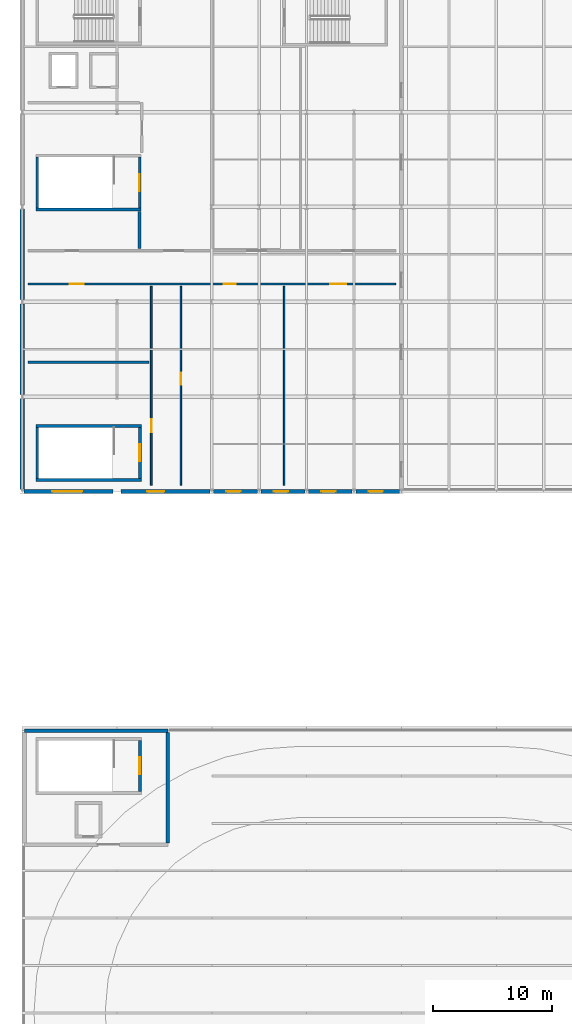
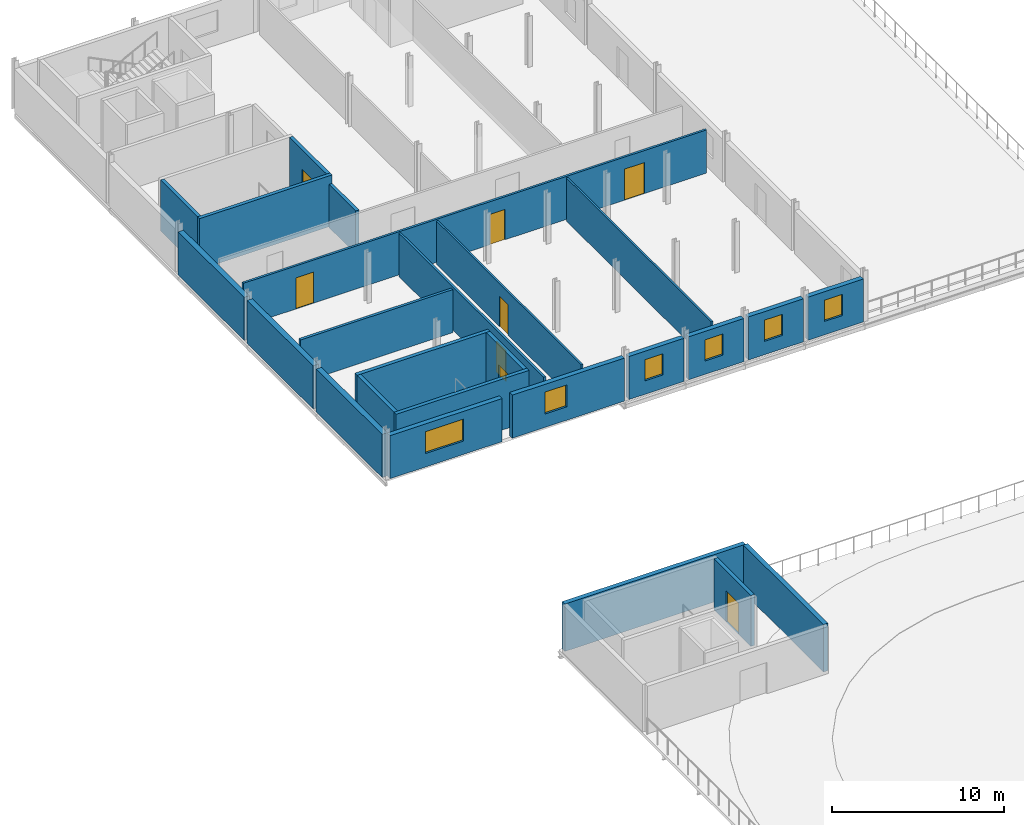
# One storey, part 6 of 11: 25 walls, 8 doors, 6 windows, 14 openings.
"""IFC4 building model written with IfcOpenShell, lengths in metres."""

import ifcopenshell
import ifcopenshell.guid

model = None  # the IFC model being written
_history = None  # IfcOwnerHistory: only IFC2X3 demands one
_inside = {}  # id of a spatial element -> (the spatial element, [elements in it])
_under = {}  # id of a project, library or spatial element -> (it, [spatial elements below it])
_declared = {}  # id of a project -> (the project, [libraries it declares])
_typed = {}  # id of a type object -> (the type object, [elements of that type])
_made_of = {}  # id of a material, layer set ... -> (it, [elements and type objects made of it])


def new_model(schema):
    """Start an empty IFC model of exactly this schema.

    Asked for "IFC4X3", IfcOpenShell would pick the latest addendum, in which some entities
    have other attributes; the version numbers below select the first issue.
    IFC2X3 requires an IfcOwnerHistory on every rooted entity: one is made here for all.
    """
    global model, _history
    if schema == "IFC4X3":
        model = ifcopenshell.file(schema_version=(4, 3, 0, 0))
    else:
        model = ifcopenshell.file(schema=schema)
    _inside.clear()
    _under.clear()
    _declared.clear()
    _typed.clear()
    _made_of.clear()
    _history = None
    if model.schema == "IFC2X3":
        org = make("IfcOrganization", Name="unknown")
        user = make(
            "IfcPersonAndOrganization",
            ThePerson=make("IfcPerson", FamilyName="unknown"),
            TheOrganization=org,
        )
        app = make(
            "IfcApplication",
            ApplicationDeveloper=org,
            Version="unknown",
            ApplicationFullName="unknown",
            ApplicationIdentifier="unknown",
        )
        _history = make(
            "IfcOwnerHistory",
            OwningUser=user,
            OwningApplication=app,
            ChangeAction="ADDED",
            CreationDate=0,
        )
    return model


def make(cls, **values):
    """One entity of the class cls with the attributes given. An attribute that is None is left unset."""
    return model.create_entity(
        cls, **{name: value for name, value in values.items() if value is not None}
    )


def rooted(cls, **values):
    """An entity with a GlobalId (a new one), such as an element, a storey or a relation."""
    return make(cls, GlobalId=ifcopenshell.guid.new(), OwnerHistory=_history, **values)


def si_unit(unit_type, name, prefix=None):
    """IfcSIUnit, for example si_unit("LENGTHUNIT", "METRE", prefix="MILLI")."""
    return make("IfcSIUnit", UnitType=unit_type, Prefix=prefix, Name=name)


def derived_unit(unit_type, elements):
    """IfcDerivedUnit: a product of units, each with its exponent."""
    return make(
        "IfcDerivedUnit",
        Elements=[
            make("IfcDerivedUnitElement", Unit=unit, Exponent=power)
            for unit, power in elements
        ],
        UnitType=unit_type,
    )


def assignment(units):
    """IfcUnitAssignment: the units of a project."""
    return None if units is None else make("IfcUnitAssignment", Units=units)


def point(xyz):
    """IfcCartesianPoint."""
    return None if xyz is None else make("IfcCartesianPoint", Coordinates=xyz)


def direction(xyz):
    """IfcDirection."""
    return None if xyz is None else make("IfcDirection", DirectionRatios=xyz)


def frame(location, z_axis=None, x_axis=None):
    """IfcAxis2Placement3D, a coordinate frame: its origin and axes. An axis left out is left unset."""
    return make(
        "IfcAxis2Placement3D",
        Location=point(location),
        Axis=direction(z_axis),
        RefDirection=direction(x_axis),
    )


def frame_2d(location, x_axis=None):
    """IfcAxis2Placement2D, a coordinate frame in the plane: its origin and x axis."""
    return make(
        "IfcAxis2Placement2D", Location=point(location), RefDirection=direction(x_axis)
    )


def origin():
    """The frame at (0, 0, 0) with its axes left unset."""
    return frame((0.0, 0.0, 0.0))


def place(relative_to, where):
    """IfcLocalPlacement: puts the frame where relative to a parent placement (None: the world)."""
    return make(
        "IfcLocalPlacement", PlacementRelTo=relative_to, RelativePlacement=where
    )


def context(
    kind, dimensions, precision=None, world=None, true_north=None, identifier=None
):
    """IfcGeometricRepresentationContext, for example the 3D "Model" context."""
    return make(
        "IfcGeometricRepresentationContext",
        ContextIdentifier=identifier,
        ContextType=kind,
        CoordinateSpaceDimension=dimensions,
        Precision=precision,
        WorldCoordinateSystem=world,
        TrueNorth=true_north,
    )


def subcontext(parent, identifier, kind, view, scale=None):
    """IfcGeometricRepresentationSubContext, for example "Body" below "Model"."""
    return make(
        "IfcGeometricRepresentationSubContext",
        ContextIdentifier=identifier,
        ContextType=kind,
        ParentContext=parent,
        TargetScale=scale,
        TargetView=view,
    )


def project(units=None, contexts=None):
    """IfcProject with its units and contexts."""
    return rooted(
        "IfcProject",
        Name="project",
        RepresentationContexts=contexts,
        UnitsInContext=assignment(units),
    )


def spatial(cls, under=None, at=None, **own):
    """A site, building, storey or space (cls), placed at a placement, below another one or the project."""
    s = rooted(cls, ObjectPlacement=at, **own)
    if under is not None:
        _under.setdefault(under.id(), (under, []))[1].append(s)
    return s


def profile(cls, at=None, kind="AREA", **sizes):
    """A parametric profile (cls). Its sizes go by their IFC names, for example OverallWidth=200.0."""
    return make(cls, ProfileType=kind, Position=at, **sizes)


def rectangle(**sizes):
    """IfcRectangleProfileDef."""
    return profile("IfcRectangleProfileDef", **sizes)


def extrude(swept, where, along, depth):
    """IfcExtrudedAreaSolid: the profile swept, set in the frame where, extruded along a direction by depth."""
    return make(
        "IfcExtrudedAreaSolid",
        SweptArea=swept,
        Position=where,
        ExtrudedDirection=direction(along),
        Depth=depth,
    )


def shape(context_of_items, identifier, shape_type, items):
    """IfcShapeRepresentation: the items that make up one representation, for example the "Body"."""
    return make(
        "IfcShapeRepresentation",
        ContextOfItems=context_of_items,
        RepresentationIdentifier=identifier,
        RepresentationType=shape_type,
        Items=items,
    )


def material(Name=None, Category=None):
    """IfcMaterial."""
    return make("IfcMaterial", Name=Name, Category=Category)


def layer(
    of_material, thickness, ventilated=None, Name=None, Category=None, Priority=None
):
    """IfcMaterialLayer: one layer of a wall or slab, of a material (None: an air gap)."""
    return make(
        "IfcMaterialLayer",
        Material=of_material,
        LayerThickness=thickness,
        IsVentilated=ventilated,
        Name=Name,
        Category=Category,
        Priority=Priority,
    )


def layer_set(layers, Name=None):
    """IfcMaterialLayerSet."""
    return make("IfcMaterialLayerSet", MaterialLayers=layers, LayerSetName=Name)


def made_of(thing, what):
    """Note that an element or type object is made of a material, layer set ...; save() writes the relation."""
    if what is not None:
        _made_of.setdefault(what.id(), (what, []))[1].append(thing)
    return thing


def type_object(cls, material=None, **own):
    """A type object (cls), such as IfcWallType, which elements share."""
    return made_of(rooted(cls, **own), material)


def element(
    cls,
    number,
    at=None,
    inside=None,
    cuts=None,
    type_object=None,
    material=None,
    context=None,
    identifier="Body",
    shape_type=None,
    held_by="IfcProductDefinitionShape",
    body=None,
    shapes=None,
    **own,
):
    """One element of the class cls, such as IfcWall. Its Tag is "e" and its number.

    at: its placement. inside: the storey or other place that contains it. cuts: it is an
    opening in that element (IfcRelVoidsElement). A single representation is given by context,
    identifier, shape_type and body (its items); several are given by shapes. held_by: the class
    of the entity that holds the representations. save() writes the other relations.
    """
    e = rooted(cls, Tag="e%d" % number, ObjectPlacement=at, **own)
    if body is not None:
        shapes = [shape(context, identifier, shape_type, body)]
    if shapes is not None:
        e.Representation = make(held_by, Representations=shapes)
    if inside is not None:
        _inside.setdefault(inside.id(), (inside, []))[1].append(e)
    if cuts is not None:
        rooted(
            "IfcRelVoidsElement", RelatingBuildingElement=cuts, RelatedOpeningElement=e
        )
    if type_object is not None:
        _typed.setdefault(type_object.id(), (type_object, []))[1].append(e)
    return made_of(e, material)


def fill(opening, filler):
    """IfcRelFillsElement: the door or window that sits in an opening."""
    return rooted(
        "IfcRelFillsElement",
        RelatingOpeningElement=opening,
        RelatedBuildingElement=filler,
    )


def aggregate(whole, parts):
    """IfcRelAggregates: a whole, such as a stair, and the parts it consists of."""
    return rooted("IfcRelAggregates", RelatingObject=whole, RelatedObjects=parts)


def save(model, path):
    """Write the relations noted so far, then the file.

    IfcRelAggregates (storeys below a building ...), IfcRelContainedInSpatialStructure (elements
    in a storey), IfcRelDefinesByType, IfcRelAssociatesMaterial and IfcRelDeclares: one each for
    every whole, place, type object, material and project.
    """
    for whole, parts in _under.values():
        aggregate(whole, parts)
    for where, things in _inside.values():
        rooted(
            "IfcRelContainedInSpatialStructure",
            RelatedElements=things,
            RelatingStructure=where,
        )
    for kind, things in _typed.values():
        rooted("IfcRelDefinesByType", RelatedObjects=things, RelatingType=kind)
    for what, things in _made_of.values():
        rooted("IfcRelAssociatesMaterial", RelatedObjects=things, RelatingMaterial=what)
    for by, libraries in _declared.values():
        rooted("IfcRelDeclares", RelatingContext=by, RelatedDefinitions=libraries)
    model.write(path)


model = new_model("IFC4")

# Units and contexts
model_context = context("Model", 3, precision=1e-05, world=origin(), true_north=direction((0.0, 1.0)))
body_context = subcontext(model_context, "Body", "Model", "MODEL_VIEW")
ifc_project = project(units=[si_unit("LENGTHUNIT", "METRE"), si_unit("AREAUNIT", "SQUARE_METRE"), si_unit("VOLUMEUNIT", "CUBIC_METRE"), si_unit("PLANEANGLEUNIT", "RADIAN"), si_unit("MASSUNIT", "GRAM", prefix="KILO"), derived_unit("THERMALTRANSMITTANCEUNIT", [(si_unit("POWERUNIT", "WATT"), 1), (si_unit("LENGTHUNIT", "METRE"), -2), (si_unit("THERMODYNAMICTEMPERATUREUNIT", "KELVIN"), -1)])], contexts=[model_context])

# Site, building, storey
site_placement = place(None, origin())
site = spatial("IfcSite", under=ifc_project, at=site_placement, CompositionType="ELEMENT")
building_placement = place(site_placement, origin())
building = spatial("IfcBuilding", under=site, at=building_placement, Name="Keldorne Ridge Multi-Sports Centre", CompositionType="ELEMENT")
storey_placement = place(building_placement, frame((0.0, 0.0, 18.60009765625)))
storey = spatial("IfcBuildingStorey", under=building, at=storey_placement, Name="L04", CompositionType="ELEMENT", Elevation=18.60009765625)

# Wall
ifc_material_1 = material(Name="Moisture-resistant stud plumbing wall")
ifc_layer_1 = layer(ifc_material_1, 0.219970703125)
ifc_layer_set_1 = layer_set([ifc_layer_1])
wall_type_1 = type_object("IfcWallType", Name="WAL-PL-01", PredefinedType="PLUMBINGWALL", material=ifc_layer_set_1)
wall_1_placement = place(storey_placement, frame((113.89990234375, 94.5, 0.0), z_axis=(0.0, 0.0, 1.0), x_axis=(0.0, 1.0, 0.0)))
element("IfcWall", 1, at=wall_1_placement, inside=storey, type_object=wall_type_1, Name="Fourth floor Accessible WC east wall IW-L04-078", PredefinedType="PLUMBINGWALL", context=body_context, shape_type="SweptSolid", body=[
    extrude(rectangle(XDim=3.10009765625, YDim=0.219970703125, at=frame_2d((1.550048828125, 0.0))), origin(), (0.0, 0.0, 1.0), 3.0498046875),
])

# Wall, opening, window
ifc_material_2 = material(Name="Precast concrete C40/50", Category="concrete")
ifc_layer_2 = layer(ifc_material_2, 0.320068359375)
ifc_layer_set_2 = layer_set([ifc_layer_2], Name="Precast concrete C40/50")
wall_type_2 = type_object("IfcWallType", Name="WAL-PR-W1", PredefinedType="STANDARD", material=ifc_layer_set_2)
wall_2_placement = place(storey_placement, frame((104.152099609375, 74.0, 0.0), z_axis=(0.0, 0.0, 1.0), x_axis=(1.0, 0.0, 0.0)))
wall_2 = element("IfcWall", 2, at=wall_2_placement, inside=storey, type_object=wall_type_2, Name="East Wing L04 south facade 1", PredefinedType="STANDARD", context=body_context, shape_type="SweptSolid", body=[
    extrude(rectangle(XDim=7.5078125, YDim=0.320068359375, at=frame_2d((3.75390625, 0.0))), origin(), (0.0, 0.0, 1.0), 3.0498046875),
])
opening_1_placement = place(wall_2_placement, frame((2.387939453125, 0.0, 0.949951171875)))
opening_1 = element("IfcOpeningElement", 3, at=opening_1_placement, cuts=wall_2, Name="Opening W-15", PredefinedType="OPENING", context=body_context, shape_type="SweptSolid", body=[
    extrude(rectangle(XDim=2.550048828125, YDim=1.550048828125, at=frame_2d((1.27490234375, 0.77490234375))), frame((0.0, 0.169921875, 0.0), z_axis=(0.0, -1.0, 0.0), x_axis=(1.0, 0.0, 0.0)), (0.0, 0.0, 1.0), 0.340087890625),
])
ifc_material_3 = material(Name="Anodized aluminium", Category="aluminium")
window_type_1 = type_object("IfcWindowType", Name="WIN-W-15", PartitioningType="DOUBLE_PANEL_VERTICAL", PredefinedType="WINDOW", material=ifc_material_3)
window_1_placement = place(opening_1_placement, origin())
window_1 = element("IfcWindow", 4, at=window_1_placement, inside=storey, type_object=window_type_1, Name="East Wing L04 south window W-107", OverallHeight=1.550048828125, OverallWidth=2.550048828125, PartitioningType="SINGLE_PANEL", PredefinedType="WINDOW", context=body_context, shape_type="SweptSolid", body=[
    extrude(rectangle(XDim=2.550048828125, YDim=1.550048828125, at=frame_2d((1.27490234375, 0.77490234375))), frame((0.0, 0.030029296875, 0.0), z_axis=(0.0, -1.0, 0.0), x_axis=(1.0, 0.0, 0.0)), (0.0, 0.0, 1.0), 0.06005859375),
])
fill(opening_1, window_1)

wall_3_placement = place(storey_placement, frame((112.340087890625, 74.0, 0.0), z_axis=(0.0, 0.0, 1.0), x_axis=(1.0, 0.0, 0.0)))
wall_3 = element("IfcWall", 5, at=wall_3_placement, inside=storey, type_object=wall_type_2, Name="East Wing L04 south facade 2", PredefinedType="STANDARD", context=body_context, shape_type="SweptSolid", body=[
    extrude(rectangle(XDim=7.5078125, YDim=0.320068359375, at=frame_2d((3.75390625, 0.0))), origin(), (0.0, 0.0, 1.0), 3.0498046875),
])
opening_2_placement = place(wall_3_placement, frame((2.199951171875, 0.0, 0.949951171875)))
opening_2 = element("IfcOpeningElement", 6, at=opening_2_placement, cuts=wall_3, Name="Opening W-16", PredefinedType="OPENING", context=body_context, shape_type="SweptSolid", body=[
    extrude(rectangle(XDim=1.449951171875, YDim=1.550048828125, at=frame_2d((0.72509765625, 0.77490234375))), frame((0.0, 0.169921875, 0.0), z_axis=(0.0, -1.0, 0.0), x_axis=(1.0, 0.0, 0.0)), (0.0, 0.0, 1.0), 0.340087890625),
])
window_type_2 = type_object("IfcWindowType", Name="WIN-W-16", PartitioningType="SINGLE_PANEL", PredefinedType="WINDOW", material=ifc_material_3)
window_2_placement = place(opening_2_placement, origin())
window_2 = element("IfcWindow", 7, at=window_2_placement, inside=storey, type_object=window_type_2, Name="East Wing L04 south window W-108", OverallHeight=1.550048828125, OverallWidth=1.449951171875, PartitioningType="SINGLE_PANEL", PredefinedType="WINDOW", context=body_context, shape_type="SweptSolid", body=[
    extrude(rectangle(XDim=1.449951171875, YDim=1.550048828125, at=frame_2d((0.72509765625, 0.77490234375))), frame((0.0, 0.030029296875, 0.0), z_axis=(0.0, -1.0, 0.0), x_axis=(1.0, 0.0, 0.0)), (0.0, 0.0, 1.0), 0.06005859375),
])
fill(opening_2, window_2)

wall_4_placement = place(storey_placement, frame((120.152099609375, 74.0, 0.0), z_axis=(0.0, 0.0, 1.0), x_axis=(1.0, 0.0, 0.0)))
wall_4 = element("IfcWall", 8, at=wall_4_placement, inside=storey, type_object=wall_type_2, Name="East Wing L04 south facade 3", PredefinedType="STANDARD", context=body_context, shape_type="SweptSolid", body=[
    extrude(rectangle(XDim=3.69580078125, YDim=0.320068359375, at=frame_2d((1.847900390625, 0.0))), origin(), (0.0, 0.0, 1.0), 3.0498046875),
])
opening_3_placement = place(wall_4_placement, frame((1.087890625, 0.0, 0.949951171875)))
opening_3 = element("IfcOpeningElement", 9, at=opening_3_placement, cuts=wall_4, Name="Opening W-03", PredefinedType="OPENING", context=body_context, shape_type="SweptSolid", body=[
    extrude(rectangle(XDim=1.199951171875, YDim=1.5, at=frame_2d((0.60009765625, 0.75))), frame((0.0, 0.169921875, 0.0), z_axis=(0.0, -1.0, 0.0), x_axis=(1.0, 0.0, 0.0)), (0.0, 0.0, 1.0), 0.340087890625),
])
window_type_3 = type_object("IfcWindowType", Name="WIN-W-03", PartitioningType="SINGLE_PANEL", PredefinedType="WINDOW", material=ifc_material_3)
window_3_placement = place(opening_3_placement, origin())
window_3 = element("IfcWindow", 10, at=window_3_placement, inside=storey, type_object=window_type_3, Name="East Wing L04 south window W-109", OverallHeight=1.5, OverallWidth=1.199951171875, PartitioningType="SINGLE_PANEL", PredefinedType="WINDOW", context=body_context, shape_type="SweptSolid", body=[
    extrude(rectangle(XDim=1.199951171875, YDim=1.5, at=frame_2d((0.60009765625, 0.75))), frame((0.0, 0.030029296875, 0.0), z_axis=(0.0, -1.0, 0.0), x_axis=(1.0, 0.0, 0.0)), (0.0, 0.0, 1.0), 0.06005859375),
])
fill(opening_3, window_3)

wall_5_placement = place(storey_placement, frame((124.152099609375, 74.0, 0.0), z_axis=(0.0, 0.0, 1.0), x_axis=(1.0, 0.0, 0.0)))
wall_5 = element("IfcWall", 11, at=wall_5_placement, inside=storey, type_object=wall_type_2, Name="East Wing L04 south facade 4", PredefinedType="STANDARD", context=body_context, shape_type="SweptSolid", body=[
    extrude(rectangle(XDim=3.69580078125, YDim=0.320068359375, at=frame_2d((1.847900390625, 0.0))), origin(), (0.0, 0.0, 1.0), 3.0498046875),
])
opening_4_placement = place(wall_5_placement, frame((1.087890625, 0.0, 0.949951171875)))
opening_4 = element("IfcOpeningElement", 12, at=opening_4_placement, cuts=wall_5, Name="Opening W-03", PredefinedType="OPENING", context=body_context, shape_type="SweptSolid", body=[
    extrude(rectangle(XDim=1.199951171875, YDim=1.5, at=frame_2d((0.60009765625, 0.75))), frame((0.0, 0.169921875, 0.0), z_axis=(0.0, -1.0, 0.0), x_axis=(1.0, 0.0, 0.0)), (0.0, 0.0, 1.0), 0.340087890625),
])
window_4_placement = place(opening_4_placement, origin())
window_4 = element("IfcWindow", 13, at=window_4_placement, inside=storey, type_object=window_type_3, Name="East Wing L04 south window W-110", OverallHeight=1.5, OverallWidth=1.199951171875, PartitioningType="SINGLE_PANEL", PredefinedType="WINDOW", context=body_context, shape_type="SweptSolid", body=[
    extrude(rectangle(XDim=1.199951171875, YDim=1.5, at=frame_2d((0.60009765625, 0.75))), frame((0.0, 0.030029296875, 0.0), z_axis=(0.0, -1.0, 0.0), x_axis=(1.0, 0.0, 0.0)), (0.0, 0.0, 1.0), 0.06005859375),
])
fill(opening_4, window_4)

wall_6_placement = place(storey_placement, frame((128.152099609375, 74.0, 0.0), z_axis=(0.0, 0.0, 1.0), x_axis=(1.0, 0.0, 0.0)))
wall_6 = element("IfcWall", 14, at=wall_6_placement, inside=storey, type_object=wall_type_2, Name="East Wing L04 south facade 5", PredefinedType="STANDARD", context=body_context, shape_type="SweptSolid", body=[
    extrude(rectangle(XDim=3.69580078125, YDim=0.320068359375, at=frame_2d((1.847900390625, 0.0))), origin(), (0.0, 0.0, 1.0), 3.0498046875),
])
opening_5_placement = place(wall_6_placement, frame((1.087890625, 0.0, 0.949951171875)))
opening_5 = element("IfcOpeningElement", 15, at=opening_5_placement, cuts=wall_6, Name="Opening W-03", PredefinedType="OPENING", context=body_context, shape_type="SweptSolid", body=[
    extrude(rectangle(XDim=1.199951171875, YDim=1.5, at=frame_2d((0.60009765625, 0.75))), frame((0.0, 0.169921875, 0.0), z_axis=(0.0, -1.0, 0.0), x_axis=(1.0, 0.0, 0.0)), (0.0, 0.0, 1.0), 0.340087890625),
])
window_5_placement = place(opening_5_placement, origin())
window_5 = element("IfcWindow", 16, at=window_5_placement, inside=storey, type_object=window_type_3, Name="East Wing L04 south window W-111", OverallHeight=1.5, OverallWidth=1.199951171875, PartitioningType="SINGLE_PANEL", PredefinedType="WINDOW", context=body_context, shape_type="SweptSolid", body=[
    extrude(rectangle(XDim=1.199951171875, YDim=1.5, at=frame_2d((0.60009765625, 0.75))), frame((0.0, 0.030029296875, 0.0), z_axis=(0.0, -1.0, 0.0), x_axis=(1.0, 0.0, 0.0)), (0.0, 0.0, 1.0), 0.06005859375),
])
fill(opening_5, window_5)

wall_7_placement = place(storey_placement, frame((132.152099609375, 74.0, 0.0), z_axis=(0.0, 0.0, 1.0), x_axis=(1.0, 0.0, 0.0)))
wall_7 = element("IfcWall", 17, at=wall_7_placement, inside=storey, type_object=wall_type_2, Name="East Wing L04 south facade 6", PredefinedType="STANDARD", context=body_context, shape_type="SweptSolid", body=[
    extrude(rectangle(XDim=3.69580078125, YDim=0.320068359375, at=frame_2d((1.847900390625, 0.0))), origin(), (0.0, 0.0, 1.0), 3.0498046875),
])
opening_6_placement = place(wall_7_placement, frame((1.087890625, 0.0, 0.949951171875)))
opening_6 = element("IfcOpeningElement", 18, at=opening_6_placement, cuts=wall_7, Name="Opening W-03", PredefinedType="OPENING", context=body_context, shape_type="SweptSolid", body=[
    extrude(rectangle(XDim=1.199951171875, YDim=1.5, at=frame_2d((0.60009765625, 0.75))), frame((0.0, 0.169921875, 0.0), z_axis=(0.0, -1.0, 0.0), x_axis=(1.0, 0.0, 0.0)), (0.0, 0.0, 1.0), 0.340087890625),
])
window_6_placement = place(opening_6_placement, origin())
window_6 = element("IfcWindow", 19, at=window_6_placement, inside=storey, type_object=window_type_3, Name="East Wing L04 south window W-112", OverallHeight=1.5, OverallWidth=1.199951171875, PartitioningType="SINGLE_PANEL", PredefinedType="WINDOW", context=body_context, shape_type="SweptSolid", body=[
    extrude(rectangle(XDim=1.199951171875, YDim=1.5, at=frame_2d((0.60009765625, 0.75))), frame((0.0, 0.030029296875, 0.0), z_axis=(0.0, -1.0, 0.0), x_axis=(1.0, 0.0, 0.0)), (0.0, 0.0, 1.0), 0.06005859375),
])
fill(opening_6, window_6)

# Walls
ifc_layer_3 = layer(ifc_material_2, 0.360107421875)
ifc_layer_set_3 = layer_set([ifc_layer_3], Name="Precast concrete C40/50")
wall_type_3 = type_object("IfcWallType", Name="WAL-PR-W2", PredefinedType="STANDARD", material=ifc_layer_set_3)
for number, where, z_axis, x_axis, name in (
    (20, (104.0, 81.822998046875, 0.0), (0.0, 0.0, 1.0), (0.0, -1.0, 0.0), "East Wing movement-joint wall L04.1"),
    (21, (104.0, 89.822998046875, 0.0), (0.0, 0.0, 1.0), (0.0, -1.0, 0.0), "East Wing movement-joint wall L04.2"),
    (22, (104.0, 97.822998046875, 0.0), (0.0, 0.0, 1.0), (0.0, -1.0, 0.0), "East Wing movement-joint wall L04.3"),
):
    element("IfcWall", number, at=place(storey_placement, frame(where, z_axis=z_axis, x_axis=x_axis)), inside=storey, type_object=wall_type_3, Name=name, PredefinedType="STANDARD", context=body_context, shape_type="SweptSolid", body=[
        extrude(rectangle(XDim=7.64599609375, YDim=0.360107421875, at=frame_2d((3.822998046875, 0.0))), origin(), (0.0, 0.0, 1.0), 3.0498046875),
    ])
ifc_layer_4 = layer(ifc_material_2, 0.300048828125)
ifc_layer_set_4 = layer_set([ifc_layer_4], Name="Precast concrete C40/50")
wall_type_4 = type_object("IfcWallType", Name="WAL-PR-W4", PredefinedType="STANDARD", material=ifc_layer_set_4)
wall_8_placement = place(storey_placement, frame((116.300048828125, 53.800048828125, 0.0), z_axis=(0.0, 0.0, 1.0), x_axis=(-1.0, 0.0, 0.0)))
element("IfcWall", 23, at=wall_8_placement, inside=storey, type_object=wall_type_4, Name="Track headhouse C4 north wall", PredefinedType="STANDARD", context=body_context, shape_type="SweptSolid", body=[
    extrude(rectangle(XDim=12.10009765625, YDim=0.300048828125, at=frame_2d((6.050048828125, 0.0))), origin(), (0.0, 0.0, 1.0), 3.35986328125),
])
wall_9_placement = place(storey_placement, frame((116.300048828125, 44.35205078125, 0.0), z_axis=(0.0, 0.0, 1.0), x_axis=(0.0, 1.0, 0.0)))
element("IfcWall", 24, at=wall_9_placement, inside=storey, type_object=wall_type_4, Name="Track headhouse C4 east wall", PredefinedType="STANDARD", context=body_context, shape_type="SweptSolid", body=[
    extrude(rectangle(XDim=9.2958984375, YDim=0.300048828125, at=frame_2d((4.64794921875, 0.0))), origin(), (0.0, 0.0, 1.0), 3.35986328125),
])

# Wall, opening, door
ifc_material_4 = material(Name="Acoustic metal stud plasterboard")
ifc_layer_5 = layer(ifc_material_4, 0.125)
ifc_layer_set_5 = layer_set([ifc_layer_5])
wall_type_5 = type_object("IfcWallType", Name="WAL-PT-01", PredefinedType="PARTITIONING", material=ifc_layer_set_5)
wall_10_placement = place(storey_placement, frame((117.39990234375, 74.5, 0.0), z_axis=(0.0, 0.0, 1.0), x_axis=(0.0, 1.0, 0.0)))
wall_10 = element("IfcWall", 25, at=wall_10_placement, inside=storey, type_object=wall_type_5, Name="Fourth floor south sub-corridor east wall IW-L04-076", PredefinedType="PARTITIONING", context=body_context, shape_type="SweptSolid", body=[
    extrude(rectangle(XDim=16.800048828125, YDim=0.125, at=frame_2d((8.39990234375, 0.0))), origin(), (0.0, 0.0, 1.0), 3.0498046875),
])
opening_7_placement = place(wall_10_placement, frame((8.5, 0.0, 0.0)))
opening_7 = element("IfcOpeningElement", 26, at=opening_7_placement, cuts=wall_10, Name="Opening D-02", PredefinedType="OPENING", context=body_context, shape_type="SweptSolid", body=[
    extrude(rectangle(XDim=1.0, YDim=2.14990234375, at=frame_2d((0.5, 1.074951171875))), frame((0.0, 0.072509765625, 0.0), z_axis=(0.0, -1.0, 0.0), x_axis=(1.0, 0.0, 0.0)), (0.0, 0.0, 1.0), 0.14501953125),
])
ifc_material_5 = material(Name="Timber acoustic leaf", Category="wood")
door_type_1 = type_object("IfcDoorType", Name="DR-D-02", OperationType="NOTDEFINED", PredefinedType="DOOR", material=ifc_material_5)
door_1_placement = place(opening_7_placement, origin())
door_1 = element("IfcDoor", 27, at=door_1_placement, inside=storey, type_object=door_type_1, Name="Yoga Studio west lobby door D-137", OperationType="SINGLE_SWING_LEFT", OverallHeight=2.14990234375, OverallWidth=1.0, PredefinedType="DOOR", context=body_context, shape_type="SweptSolid", body=[
    extrude(rectangle(XDim=1.0, YDim=2.14990234375, at=frame_2d((0.5, 1.074951171875))), frame((0.0, 0.02490234375, 0.0), z_axis=(0.0, -1.0, 0.0), x_axis=(1.0, 0.0, 0.0)), (0.0, 0.0, 1.0), 0.050048828125),
])
fill(opening_7, door_1)

# Wall
wall_11_placement = place(storey_placement, frame((126.10009765625, 74.5, 0.0), z_axis=(0.0, 0.0, 1.0), x_axis=(0.0, 1.0, 0.0)))
element("IfcWall", 28, at=wall_11_placement, inside=storey, type_object=wall_type_5, Name="Fourth floor room divider IW-L04-083", PredefinedType="PARTITIONING", context=body_context, shape_type="SweptSolid", body=[
    extrude(rectangle(XDim=16.800048828125, YDim=0.125, at=frame_2d((8.39990234375, 0.0))), origin(), (0.0, 0.0, 1.0), 3.0498046875),
])

# Wall, openings, doors
ifc_material_6 = material(Name="Fire-rated twin stud plasterboard")
ifc_layer_6 = layer(ifc_material_6, 0.14990234375)
ifc_layer_set_6 = layer_set([ifc_layer_6])
wall_type_6 = type_object("IfcWallType", Name="WAL-PT-02", PredefinedType="PARTITIONING", material=ifc_layer_set_6)
wall_12_placement = place(storey_placement, frame((104.5, 91.5, 0.0), z_axis=(0.0, 0.0, 1.0), x_axis=(1.0, 0.0, 0.0)))
wall_12 = element("IfcWall", 29, at=wall_12_placement, inside=storey, type_object=wall_type_6, Name="Fourth floor corridor south wall IW-L04-073", PredefinedType="PARTITIONING", context=body_context, shape_type="SweptSolid", body=[
    extrude(rectangle(XDim=31.0, YDim=0.14990234375, at=frame_2d((15.5, 0.0))), origin(), (0.0, 0.0, 1.0), 3.0498046875),
])
opening_8_placement = place(wall_12_placement, frame((3.5, 0.0, 0.0)))
opening_8 = element("IfcOpeningElement", 30, at=opening_8_placement, cuts=wall_12, Name="Opening D-07", PredefinedType="OPENING", context=body_context, shape_type="SweptSolid", body=[
    extrude(rectangle(XDim=1.199951171875, YDim=2.199951171875, at=frame_2d((0.60009765625, 1.10009765625))), frame((0.0, 0.0849609375, 0.0), z_axis=(0.0, -1.0, 0.0), x_axis=(1.0, 0.0, 0.0)), (0.0, 0.0, 1.0), 0.169921875),
])
opening_9_placement = place(wall_12_placement, frame((16.5, 0.0, 0.0)))
opening_9 = element("IfcOpeningElement", 31, at=opening_9_placement, cuts=wall_12, Name="Opening D-02", PredefinedType="OPENING", context=body_context, shape_type="SweptSolid", body=[
    extrude(rectangle(XDim=1.0, YDim=2.14990234375, at=frame_2d((0.5, 1.074951171875))), frame((0.0, 0.0849609375, 0.0), z_axis=(0.0, -1.0, 0.0), x_axis=(1.0, 0.0, 0.0)), (0.0, 0.0, 1.0), 0.169921875),
])
opening_10_placement = place(wall_12_placement, frame((25.5, 0.0, 0.0)))
opening_10 = element("IfcOpeningElement", 32, at=opening_10_placement, cuts=wall_12, Name="Opening D-09", PredefinedType="OPENING", context=body_context, shape_type="SweptSolid", body=[
    extrude(rectangle(XDim=1.35009765625, YDim=2.199951171875, at=frame_2d((0.675048828125, 1.10009765625))), frame((0.0, 0.0849609375, 0.0), z_axis=(0.0, -1.0, 0.0), x_axis=(1.0, 0.0, 0.0)), (0.0, 0.0, 1.0), 0.169921875),
])
door_2_placement = place(opening_9_placement, origin())
door_2 = element("IfcDoor", 33, at=door_2_placement, inside=storey, type_object=door_type_1, Name="Mind-Body Yoga Studio door D-134", OperationType="SINGLE_SWING_LEFT", OverallHeight=2.14990234375, OverallWidth=1.0, PredefinedType="DOOR", context=body_context, shape_type="SweptSolid", body=[
    extrude(rectangle(XDim=1.0, YDim=2.14990234375, at=frame_2d((0.5, 1.074951171875))), frame((0.0, 0.02490234375, 0.0), z_axis=(0.0, -1.0, 0.0), x_axis=(1.0, 0.0, 0.0)), (0.0, 0.0, 1.0), 0.050048828125),
])
fill(opening_9, door_2)
ifc_material_7 = material(Name="Galvanized steel", Category="steel")
door_type_2 = type_object("IfcDoorType", Name="DR-D-07", OperationType="NOTDEFINED", PredefinedType="DOOR", material=ifc_material_7)
door_3_placement = place(opening_8_placement, origin())
door_3 = element("IfcDoor", 34, at=door_3_placement, inside=storey, type_object=door_type_2, Name="Upper Ventilation Plant door D-133", OperationType="SINGLE_SWING_RIGHT", OverallHeight=2.199951171875, OverallWidth=1.199951171875, PredefinedType="DOOR", context=body_context, shape_type="SweptSolid", body=[
    extrude(rectangle(XDim=1.199951171875, YDim=2.199951171875, at=frame_2d((0.60009765625, 1.10009765625))), frame((0.0, 0.02490234375, 0.0), z_axis=(0.0, -1.0, 0.0), x_axis=(1.0, 0.0, 0.0)), (0.0, 0.0, 1.0), 0.050048828125),
])
fill(opening_8, door_3)
ifc_material_8 = material(Name="Timber acoustic pair", Category="wood")
door_type_3 = type_object("IfcDoorType", Name="DR-D-09", OperationType="NOTDEFINED", PredefinedType="DOOR", material=ifc_material_8)
door_4_placement = place(opening_10_placement, origin())
door_4 = element("IfcDoor", 35, at=door_4_placement, inside=storey, type_object=door_type_3, Name="Members Club Lounge double door D-135", OperationType="DOUBLE_DOOR_SINGLE_SWING", OverallHeight=2.199951171875, OverallWidth=1.35009765625, PredefinedType="DOOR", context=body_context, shape_type="SweptSolid", body=[
    extrude(rectangle(XDim=1.35009765625, YDim=2.199951171875, at=frame_2d((0.675048828125, 1.10009765625))), frame((0.0, 0.02490234375, 0.0), z_axis=(0.0, -1.0, 0.0), x_axis=(1.0, 0.0, 0.0)), (0.0, 0.0, 1.0), 0.050048828125),
])
fill(opening_10, door_4)

# Wall, opening, door
wall_13_placement = place(storey_placement, frame((114.89990234375, 74.5, 0.0), z_axis=(0.0, 0.0, 1.0), x_axis=(0.0, 1.0, 0.0)))
wall_13 = element("IfcWall", 36, at=wall_13_placement, inside=storey, type_object=wall_type_6, Name="First Aid and Plant east wall IW-L04-074", PredefinedType="PARTITIONING", context=body_context, shape_type="SweptSolid", body=[
    extrude(rectangle(XDim=16.800048828125, YDim=0.14990234375, at=frame_2d((8.39990234375, 0.0))), origin(), (0.0, 0.0, 1.0), 3.0498046875),
])
opening_11_placement = place(wall_13_placement, frame((4.5, 0.0, 0.0)))
opening_11 = element("IfcOpeningElement", 37, at=opening_11_placement, cuts=wall_13, Name="Opening D-03", PredefinedType="OPENING", context=body_context, shape_type="SweptSolid", body=[
    extrude(rectangle(XDim=1.10009765625, YDim=2.199951171875, at=frame_2d((0.550048828125, 1.10009765625))), frame((0.0, 0.0849609375, 0.0), z_axis=(0.0, -1.0, 0.0), x_axis=(1.0, 0.0, 0.0)), (0.0, 0.0, 1.0), 0.169921875),
])
ifc_material_9 = material(Name="Timber fire-resisting leaf", Category="wood")
door_type_4 = type_object("IfcDoorType", Name="DR-D-03", OperationType="NOTDEFINED", PredefinedType="DOOR", material=ifc_material_9)
door_5_placement = place(opening_11_placement, origin())
door_5 = element("IfcDoor", 38, at=door_5_placement, inside=storey, type_object=door_type_4, Name="Trackside First Aid Room door D-136", OperationType="SINGLE_SWING_RIGHT", OverallHeight=2.199951171875, OverallWidth=1.10009765625, PredefinedType="DOOR", context=body_context, shape_type="SweptSolid", body=[
    extrude(rectangle(XDim=1.10009765625, YDim=2.199951171875, at=frame_2d((0.550048828125, 1.10009765625))), frame((0.0, 0.02490234375, 0.0), z_axis=(0.0, -1.0, 0.0), x_axis=(1.0, 0.0, 0.0)), (0.0, 0.0, 1.0), 0.050048828125),
])
fill(opening_11, door_5)

# Wall
ifc_material_10 = material(Name="Concrete blockwork C25/30", Category="masonry")
ifc_layer_7 = layer(ifc_material_10, 0.179931640625)
ifc_layer_set_7 = layer_set([ifc_layer_7])
wall_type_7 = type_object("IfcWallType", Name="WAL-PT-05", PredefinedType="PARTITIONING", material=ifc_layer_set_7)
wall_14_placement = place(storey_placement, frame((104.5, 84.89990234375, 0.0), z_axis=(0.0, 0.0, 1.0), x_axis=(1.0, 0.0, 0.0)))
element("IfcWall", 39, at=wall_14_placement, inside=storey, type_object=wall_type_7, Name="Upper Plant south fire wall IW-L04-075", PredefinedType="PARTITIONING", context=body_context, shape_type="SweptSolid", body=[
    extrude(rectangle(XDim=10.199951171875, YDim=0.179931640625, at=frame_2d((5.10009765625, 0.0))), origin(), (0.0, 0.0, 1.0), 3.0498046875),
])

# Wall, opening, door
ifc_material_11 = material(Name="Concrete C40/50", Category="concrete")
ifc_layer_8 = layer(ifc_material_11, 0.25)
ifc_layer_set_8 = layer_set([ifc_layer_8], Name="Concrete C40/50")
wall_type_8 = type_object("IfcWallType", Name="WAL-SW01", PredefinedType="SHEAR", material=ifc_layer_set_8)
wall_15_placement = place(storey_placement, frame((113.925048828125, 75.10009765625, 0.0), z_axis=(0.0, 0.0, 1.0), x_axis=(0.0, 1.0, 0.0)))
wall_15 = element("IfcWall", 40, at=wall_15_placement, inside=storey, type_object=wall_type_8, Name="Stair ST-02 shaft wall L04 NEAR", PredefinedType="SHEAR", context=body_context, shape_type="SweptSolid", body=[
    extrude(rectangle(XDim=4.2998046875, YDim=0.25, at=frame_2d((2.14990234375, 0.0))), origin(), (0.0, 0.0, 1.0), 3.599853515625),
])
opening_12_placement = place(wall_15_placement, frame((1.425048828125, 0.0, 0.0)))
opening_12 = element("IfcOpeningElement", 41, at=opening_12_placement, cuts=wall_15, Name="Opening D-05", PredefinedType="OPENING", context=body_context, shape_type="SweptSolid", body=[
    extrude(rectangle(XDim=1.449951171875, YDim=2.199951171875, at=frame_2d((0.72509765625, 1.10009765625))), frame((0.0, 0.135009765625, 0.0), z_axis=(0.0, -1.0, 0.0), x_axis=(1.0, 0.0, 0.0)), (0.0, 0.0, 1.0), 0.27001953125),
])
ifc_material_12 = material(Name="Steel fire-resisting pair", Category="steel")
door_type_5 = type_object("IfcDoorType", Name="DR-D-05", OperationType="NOTDEFINED", PredefinedType="DOOR", material=ifc_material_12)
door_6_placement = place(opening_12_placement, origin())
door_6 = element("IfcDoor", 42, at=door_6_placement, inside=storey, type_object=door_type_5, Name="Stair ST-02 L04 fire door D-013", OperationType="DOUBLE_DOOR_SINGLE_SWING", OverallHeight=2.199951171875, OverallWidth=1.449951171875, PredefinedType="DOOR", context=body_context, shape_type="SweptSolid", body=[
    extrude(rectangle(XDim=1.449951171875, YDim=2.199951171875, at=frame_2d((0.72509765625, 1.10009765625))), frame((0.0, 0.02490234375, 0.0), z_axis=(0.0, -1.0, 0.0), x_axis=(1.0, 0.0, 0.0)), (0.0, 0.0, 1.0), 0.050048828125),
])
fill(opening_12, door_6)

# Walls
wall_16_placement = place(storey_placement, frame((105.27490234375, 79.39990234375, 0.0), z_axis=(0.0, 0.0, 1.0), x_axis=(0.0, -1.0, 0.0)))
element("IfcWall", 43, at=wall_16_placement, inside=storey, type_object=wall_type_8, Name="Stair ST-02 shaft wall L04 FAR", PredefinedType="SHEAR", context=body_context, shape_type="SweptSolid", body=[
    extrude(rectangle(XDim=4.2998046875, YDim=0.25, at=frame_2d((2.14990234375, 0.0))), origin(), (0.0, 0.0, 1.0), 3.599853515625),
])
for number, where, z_axis, x_axis, name in (
    (44, (105.14990234375, 74.97509765625, 0.0), (0.0, 0.0, 1.0), (1.0, 0.0, 0.0), "Stair ST-02 shaft wall L04 SOUTH"),
    (45, (114.050048828125, 79.52490234375, 0.0), (0.0, 0.0, 1.0), (-1.0, 0.0, 0.0), "Stair ST-02 shaft wall L04 NORTH"),
):
    element("IfcWall", number, at=place(storey_placement, frame(where, z_axis=z_axis, x_axis=x_axis)), inside=storey, type_object=wall_type_8, Name=name, PredefinedType="SHEAR", context=body_context, shape_type="SweptSolid", body=[
        extrude(rectangle(XDim=8.900146484375, YDim=0.25, at=frame_2d((4.4501953125, 0.0))), origin(), (0.0, 0.0, 1.0), 3.599853515625),
    ])

# Wall, opening, door
wall_17_placement = place(storey_placement, frame((113.925048828125, 48.699951171875, 0.0), z_axis=(0.0, 0.0, 1.0), x_axis=(0.0, 1.0, 0.0)))
wall_17 = element("IfcWall", 46, at=wall_17_placement, inside=storey, type_object=wall_type_8, Name="Stair ST-04 shaft wall L04 NEAR", PredefinedType="SHEAR", context=body_context, shape_type="SweptSolid", body=[
    extrude(rectangle(XDim=4.300048828125, YDim=0.25, at=frame_2d((2.14990234375, 0.0))), origin(), (0.0, 0.0, 1.0), 3.599853515625),
])
opening_13_placement = place(wall_17_placement, frame((1.425048828125, 0.0, 0.0)))
opening_13 = element("IfcOpeningElement", 47, at=opening_13_placement, cuts=wall_17, Name="Opening D-05", PredefinedType="OPENING", context=body_context, shape_type="SweptSolid", body=[
    extrude(rectangle(XDim=1.449951171875, YDim=2.199951171875, at=frame_2d((0.72509765625, 1.10009765625))), frame((0.0, 0.135009765625, 0.0), z_axis=(0.0, -1.0, 0.0), x_axis=(1.0, 0.0, 0.0)), (0.0, 0.0, 1.0), 0.27001953125),
])
door_7_placement = place(opening_13_placement, origin())
door_7 = element("IfcDoor", 48, at=door_7_placement, inside=storey, type_object=door_type_5, Name="Stair ST-04 L04 fire door D-023", OperationType="DOUBLE_DOOR_SINGLE_SWING", OverallHeight=2.199951171875, OverallWidth=1.449951171875, PredefinedType="DOOR", context=body_context, shape_type="SweptSolid", body=[
    extrude(rectangle(XDim=1.449951171875, YDim=2.199951171875, at=frame_2d((0.72509765625, 1.10009765625))), frame((0.0, 0.02490234375, 0.0), z_axis=(0.0, -1.0, 0.0), x_axis=(1.0, 0.0, 0.0)), (0.0, 0.0, 1.0), 0.050048828125),
])
fill(opening_13, door_7)

ifc_layer_9 = layer(ifc_material_11, 0.22998046875)
ifc_layer_set_9 = layer_set([ifc_layer_9], Name="Concrete C40/50")
wall_type_9 = type_object("IfcWallType", Name="WAL-SW02", PredefinedType="SHEAR", material=ifc_layer_set_9)
wall_18_placement = place(storey_placement, frame((113.9150390625, 97.89990234375, 0.0), z_axis=(0.0, 0.0, 1.0), x_axis=(0.0, 1.0, 0.0)))
wall_18 = element("IfcWall", 49, at=wall_18_placement, inside=storey, type_object=wall_type_9, Name="Stair ST-11 shaft wall L04 NEAR", PredefinedType="SHEAR", context=body_context, shape_type="SweptSolid", body=[
    extrude(rectangle(XDim=4.300048828125, YDim=0.22998046875, at=frame_2d((2.14990234375, 0.0))), origin(), (0.0, 0.0, 1.0), 3.599853515625),
])
opening_14_placement = place(wall_18_placement, frame((1.425048828125, 0.0, 0.0)))
opening_14 = element("IfcOpeningElement", 50, at=opening_14_placement, cuts=wall_18, Name="Opening D-05", PredefinedType="OPENING", context=body_context, shape_type="SweptSolid", body=[
    extrude(rectangle(XDim=1.449951171875, YDim=2.199951171875, at=frame_2d((0.72509765625, 1.10009765625))), frame((0.0, 0.125, 0.0), z_axis=(0.0, -1.0, 0.0), x_axis=(1.0, 0.0, 0.0)), (0.0, 0.0, 1.0), 0.25),
])
door_8_placement = place(opening_14_placement, origin())
door_8 = element("IfcDoor", 51, at=door_8_placement, inside=storey, type_object=door_type_5, Name="Stair ST-11 L04 fire door D-050", OperationType="DOUBLE_DOOR_SINGLE_SWING", OverallHeight=2.199951171875, OverallWidth=1.449951171875, PredefinedType="DOOR", context=body_context, shape_type="SweptSolid", body=[
    extrude(rectangle(XDim=1.449951171875, YDim=2.199951171875, at=frame_2d((0.72509765625, 1.10009765625))), frame((0.0, 0.02490234375, 0.0), z_axis=(0.0, -1.0, 0.0), x_axis=(1.0, 0.0, 0.0)), (0.0, 0.0, 1.0), 0.050048828125),
])
fill(opening_14, door_8)

# Walls
wall_19_placement = place(storey_placement, frame((105.284912109375, 102.199951171875, 0.0), z_axis=(0.0, 0.0, 1.0), x_axis=(0.0, -1.0, 0.0)))
element("IfcWall", 52, at=wall_19_placement, inside=storey, type_object=wall_type_9, Name="Stair ST-11 shaft wall L04 FAR", PredefinedType="SHEAR", context=body_context, shape_type="SweptSolid", body=[
    extrude(rectangle(XDim=4.300048828125, YDim=0.22998046875, at=frame_2d((2.14990234375, 0.0))), origin(), (0.0, 0.0, 1.0), 3.599853515625),
])
wall_20_placement = place(storey_placement, frame((105.169921875, 97.784912109375, 0.0), z_axis=(0.0, 0.0, 1.0), x_axis=(1.0, 0.0, 0.0)))
element("IfcWall", 53, at=wall_20_placement, inside=storey, type_object=wall_type_9, Name="Stair ST-11 shaft wall L04 SOUTH", PredefinedType="SHEAR", context=body_context, shape_type="SweptSolid", body=[
    extrude(rectangle(XDim=8.860107421875, YDim=0.22998046875, at=frame_2d((4.43017578125, 0.0))), origin(), (0.0, 0.0, 1.0), 3.599853515625),
])

save(model, "model.ifc")
